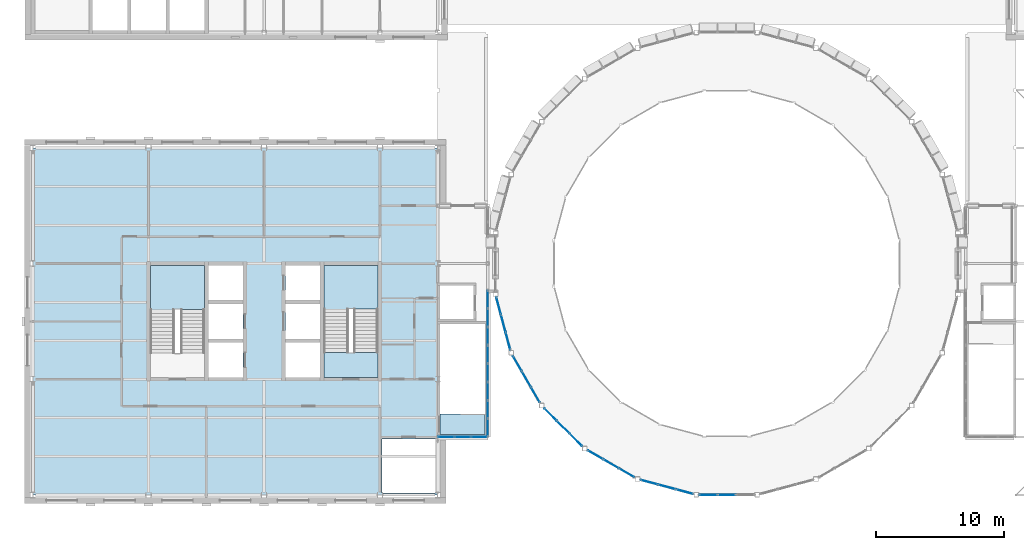
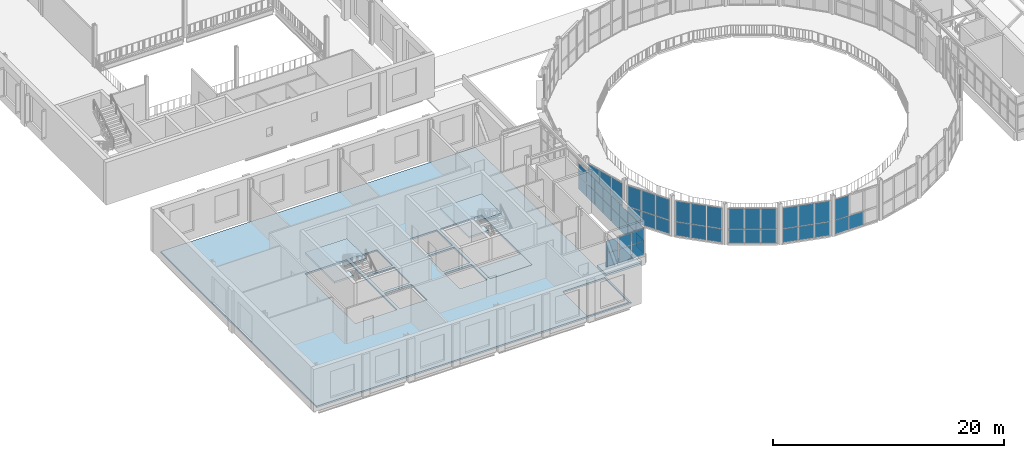
# One storey, part 30 of 74: 55 plates, 5 slabs, 10 elements without a shape of their own.
"""IFC4 building model written with IfcOpenShell, lengths in metres."""

from ifc_helpers import new_model, si_unit, direction, frame, origin, origin_2d, place, context, subcontext, project, spatial, polyline, rectangle, outline, extrude, material, layer, layer_set, type_object, element, aggregate, save


model = new_model("IFC4")

# Units and contexts
model_context = context("Model", 3, precision=1e-05, world=origin(), true_north=direction((0.0, 1.0)))
body_context = subcontext(model_context, "Body", "Model", "MODEL_VIEW")
ifc_project = project(units=[si_unit("LENGTHUNIT", "METRE"), si_unit("AREAUNIT", "SQUARE_METRE"), si_unit("VOLUMEUNIT", "CUBIC_METRE"), si_unit("PLANEANGLEUNIT", "RADIAN"), si_unit("MASSUNIT", "GRAM", prefix="KILO")], contexts=[model_context])

# Site, building, storey
site_placement = place(None, origin())
site = spatial("IfcSite", under=ifc_project, at=site_placement, CompositionType="ELEMENT")
building_placement = place(site_placement, origin())
building = spatial("IfcBuilding", under=site, at=building_placement, Name="Hortulan Conservatory and Botanical Research Centre", CompositionType="ELEMENT")
storey_placement = place(building_placement, frame((0.0, 0.0, 6.0)))
storey = spatial("IfcBuildingStorey", under=building, at=storey_placement, Name="L01", CompositionType="ELEMENT", Elevation=6.0)

# Slab
ifc_material_1 = material(Name="Concrete N40 (40 MPa, AS 3600)", Category="concrete")
ifc_layer_1 = layer(ifc_material_1, 0.169921875)
ifc_layer_set_1 = layer_set([ifc_layer_1], Name="Composite Floor Slab 170")
slab_type_1 = type_object("IfcSlabType", Name="Composite Floor Slab 170", PredefinedType="FLOOR", material=ifc_layer_set_1)
slab_1_placement = place(storey_placement, frame((0.0, 0.0, -0.169921875)))
element("IfcSlab", 1, at=slab_1_placement, inside=storey, type_object=slab_type_1, Name="Floor slab", PredefinedType="FLOOR", context=body_context, shape_type="SweptSolid", body=[
    extrude(outline(polyline([(0.0, 0.0), (31.5, 0.0), (31.5, 27.0), (0.0, 27.0), (0.0, 0.0)]), holes=[polyline([(27.14990234375, 4.35009765625), (27.14990234375, 0.14990234375), (31.35009765625, 0.14990234375), (31.35009765625, 4.35009765625), (27.14990234375, 4.35009765625)]), polyline([(13.64990234375, 11.85009765625), (13.64990234375, 9.14990234375), (16.35009765625, 9.14990234375), (16.35009765625, 11.85009765625), (13.64990234375, 11.85009765625)]), polyline([(19.64990234375, 11.85009765625), (19.64990234375, 9.14990234375), (22.35009765625, 9.14990234375), (22.35009765625, 11.85009765625), (19.64990234375, 11.85009765625)]), polyline([(9.14990234375, 17.85009765625), (9.14990234375, 9.14990234375), (13.35009765625, 9.14990234375), (13.35009765625, 17.85009765625), (9.14990234375, 17.85009765625)]), polyline([(13.64990234375, 14.85009765625), (13.64990234375, 12.14990234375), (16.35009765625, 12.14990234375), (16.35009765625, 14.85009765625), (13.64990234375, 14.85009765625)]), polyline([(19.64990234375, 14.85009765625), (19.64990234375, 12.14990234375), (22.35009765625, 12.14990234375), (22.35009765625, 14.85009765625), (19.64990234375, 14.85009765625)]), polyline([(22.64990234375, 17.85009765625), (22.64990234375, 9.14990234375), (26.85009765625, 9.14990234375), (26.85009765625, 17.85009765625), (22.64990234375, 17.85009765625)]), polyline([(16.35009765625, 17.85009765625), (13.64990234375, 17.85009765625), (13.64990234375, 15.14990234375), (16.35009765625, 15.14990234375), (16.35009765625, 17.85009765625)]), polyline([(22.35009765625, 17.85009765625), (19.64990234375, 17.85009765625), (19.64990234375, 15.14990234375), (22.35009765625, 15.14990234375), (22.35009765625, 17.85009765625)])]), origin(), (0.0, 0.0, 1.0), 0.169921875),
])

# Curtain wall, plates
ifc_material_2 = material(Name="Bronze-finished aluminium", Category="aluminium")
ifc_layer_2 = layer(ifc_material_2, 0.10009765625)
ifc_layer_set_2 = layer_set([ifc_layer_2], Name="Bronze-framed Curtain Wall 1500 module")
curtain_wall_type = type_object("IfcCurtainWallType", Name="Bronze-framed Curtain Wall 1500 module", PredefinedType="NOTDEFINED", material=ifc_layer_set_2)
curtain_wall_1_placement = place(storey_placement, origin())
curtain_wall_1 = element("IfcCurtainWall", 2, at=curtain_wall_1_placement, inside=storey, type_object=curtain_wall_type, Name="Curtain wall", PredefinedType="NOTDEFINED")
ifc_material_3 = material(Name="Low-e laminated glass", Category="glass")
ifc_layer_3 = layer(ifc_material_3, 0.028076171875)
ifc_layer_set_3 = layer_set([ifc_layer_3], Name="Laminated Glass Panel 28")
plate_type = type_object("IfcPlateType", Name="Laminated Glass Panel 28", PredefinedType="CURTAIN_PANEL", material=ifc_layer_set_3)
plate_1_placement = place(storey_placement, frame((36.9814453125, 11.967529296875, 0.06005859375), z_axis=(0.0, 0.0, 1.0), x_axis=(-0.258831936284, 0.965922372015, 0.0)))
plate_1 = element("IfcPlate", 3, at=plate_1_placement, type_object=plate_type, Name="CW1 panel 1.1", PredefinedType="CURTAIN_PANEL", context=body_context, shape_type="SweptSolid", body=[
    extrude(rectangle(XDim=1.346923828125, YDim=0.028076171875, at=origin_2d()), origin(), (0.0, 0.0, 1.0), 1.409912109375),
])
plate_2_placement = place(storey_placement, frame((36.9814453125, 11.967529296875, 1.5302734375), z_axis=(0.0, 0.0, 1.0), x_axis=(-0.258831936284, 0.965922372015, 0.0)))
plate_2 = element("IfcPlate", 4, at=plate_2_placement, type_object=plate_type, Name="CW1 panel 1.2", PredefinedType="CURTAIN_PANEL", context=body_context, shape_type="SweptSolid", body=[
    extrude(rectangle(XDim=1.346923828125, YDim=0.028076171875, at=origin_2d()), origin(), (0.0, 0.0, 1.0), 2.159912109375),
])
plate_3_placement = place(storey_placement, frame((36.61328125, 13.341064453125, 0.06005859375), z_axis=(0.0, 0.0, 1.0), x_axis=(-0.258831936284, 0.965922372015, 0.0)))
plate_3 = element("IfcPlate", 5, at=plate_3_placement, type_object=plate_type, Name="CW1 panel 2.1", PredefinedType="CURTAIN_PANEL", context=body_context, shape_type="SweptSolid", body=[
    extrude(rectangle(XDim=1.376953125, YDim=0.028076171875, at=origin_2d()), origin(), (0.0, 0.0, 1.0), 1.409912109375),
])
plate_4_placement = place(storey_placement, frame((36.61328125, 13.341064453125, 1.5302734375), z_axis=(0.0, 0.0, 1.0), x_axis=(-0.258831936284, 0.965922372015, 0.0)))
plate_4 = element("IfcPlate", 6, at=plate_4_placement, type_object=plate_type, Name="CW1 panel 2.2", PredefinedType="CURTAIN_PANEL", context=body_context, shape_type="SweptSolid", body=[
    extrude(rectangle(XDim=1.376953125, YDim=0.028076171875, at=origin_2d()), origin(), (0.0, 0.0, 1.0), 2.159912109375),
])
plate_5_placement = place(storey_placement, frame((36.245361328125, 14.714599609375, 0.06005859375), z_axis=(0.0, 0.0, 1.0), x_axis=(-0.258831936284, 0.965922372015, 0.0)))
plate_5 = element("IfcPlate", 7, at=plate_5_placement, type_object=plate_type, Name="CW1 panel 3.1", PredefinedType="CURTAIN_PANEL", context=body_context, shape_type="SweptSolid", body=[
    extrude(rectangle(XDim=1.346923828125, YDim=0.028076171875, at=origin_2d()), origin(), (0.0, 0.0, 1.0), 1.409912109375),
])
plate_6_placement = place(storey_placement, frame((36.245361328125, 14.714599609375, 1.5302734375), z_axis=(0.0, 0.0, 1.0), x_axis=(-0.258831936284, 0.965922372015, 0.0)))
plate_6 = element("IfcPlate", 8, at=plate_6_placement, type_object=plate_type, Name="CW1 panel 3.2", PredefinedType="CURTAIN_PANEL", context=body_context, shape_type="SweptSolid", body=[
    extrude(rectangle(XDim=1.346923828125, YDim=0.028076171875, at=origin_2d()), origin(), (0.0, 0.0, 1.0), 2.159912109375),
])
aggregate(curtain_wall_1, [plate_1, plate_2, plate_3, plate_4, plate_5, plate_6])

curtain_wall_2_placement = place(storey_placement, origin())
curtain_wall_2 = element("IfcCurtainWall", 9, at=curtain_wall_2_placement, inside=storey, type_object=curtain_wall_type, Name="Curtain wall", PredefinedType="NOTDEFINED")
plate_7_placement = place(storey_placement, frame((39.114013671875, 7.782958984375, 0.06005859375), z_axis=(0.0, 0.0, 1.0), x_axis=(-0.499981160235, 0.866036280655, 0.0)))
plate_7 = element("IfcPlate", 10, at=plate_7_placement, type_object=plate_type, Name="CW1 panel 1.1", PredefinedType="CURTAIN_PANEL", context=body_context, shape_type="SweptSolid", body=[
    extrude(rectangle(XDim=1.330078125, YDim=0.028076171875, at=origin_2d()), origin(), (0.0, 0.0, 1.0), 1.409912109375),
])
plate_8_placement = place(storey_placement, frame((39.114013671875, 7.782958984375, 1.5302734375), z_axis=(0.0, 0.0, 1.0), x_axis=(-0.499981160235, 0.866036280655, 0.0)))
plate_8 = element("IfcPlate", 11, at=plate_8_placement, type_object=plate_type, Name="CW1 panel 1.2", PredefinedType="CURTAIN_PANEL", context=body_context, shape_type="SweptSolid", body=[
    extrude(rectangle(XDim=1.330078125, YDim=0.028076171875, at=origin_2d()), origin(), (0.0, 0.0, 1.0), 2.159912109375),
])
plate_9_placement = place(storey_placement, frame((38.41162109375, 9.0, 0.06005859375), z_axis=(0.0, 0.0, 1.0), x_axis=(-0.499981160235, 0.866036280655, 0.0)))
plate_9 = element("IfcPlate", 12, at=plate_9_placement, type_object=plate_type, Name="CW1 panel 2.1", PredefinedType="CURTAIN_PANEL", context=body_context, shape_type="SweptSolid", body=[
    extrude(rectangle(XDim=1.360107421875, YDim=0.028076171875, at=origin_2d()), origin(), (0.0, 0.0, 1.0), 1.409912109375),
])
plate_10_placement = place(storey_placement, frame((38.41162109375, 9.0, 1.5302734375), z_axis=(0.0, 0.0, 1.0), x_axis=(-0.499981160235, 0.866036280655, 0.0)))
plate_10 = element("IfcPlate", 13, at=plate_10_placement, type_object=plate_type, Name="CW1 panel 2.2", PredefinedType="CURTAIN_PANEL", context=body_context, shape_type="SweptSolid", body=[
    extrude(rectangle(XDim=1.360107421875, YDim=0.028076171875, at=origin_2d()), origin(), (0.0, 0.0, 1.0), 2.159912109375),
])
plate_11_placement = place(storey_placement, frame((37.708984375, 10.217041015625, 0.06005859375), z_axis=(0.0, 0.0, 1.0), x_axis=(-0.499981160235, 0.866036280655, 0.0)))
plate_11 = element("IfcPlate", 14, at=plate_11_placement, type_object=plate_type, Name="CW1 panel 3.1", PredefinedType="CURTAIN_PANEL", context=body_context, shape_type="SweptSolid", body=[
    extrude(rectangle(XDim=1.330078125, YDim=0.028076171875, at=origin_2d()), origin(), (0.0, 0.0, 1.0), 1.409912109375),
])
plate_12_placement = place(storey_placement, frame((37.708984375, 10.217041015625, 1.5302734375), z_axis=(0.0, 0.0, 1.0), x_axis=(-0.499981160235, 0.866036280655, 0.0)))
plate_12 = element("IfcPlate", 15, at=plate_12_placement, type_object=plate_type, Name="CW1 panel 3.2", PredefinedType="CURTAIN_PANEL", context=body_context, shape_type="SweptSolid", body=[
    extrude(rectangle(XDim=1.330078125, YDim=0.028076171875, at=origin_2d()), origin(), (0.0, 0.0, 1.0), 2.159912109375),
])
aggregate(curtain_wall_2, [plate_7, plate_8, plate_9, plate_10, plate_11, plate_12])

curtain_wall_3_placement = place(storey_placement, origin())
curtain_wall_3 = element("IfcCurtainWall", 16, at=curtain_wall_3_placement, inside=storey, type_object=curtain_wall_type, Name="Curtain wall", PredefinedType="NOTDEFINED")
plate_13_placement = place(storey_placement, frame((42.261962890625, 4.281982421875, 0.06005859375), z_axis=(0.0, 0.0, 1.0), x_axis=(-0.70708322627, 0.707130335318, 0.0)))
plate_13 = element("IfcPlate", 17, at=plate_13_placement, type_object=plate_type, Name="CW1 panel 1.1", PredefinedType="CURTAIN_PANEL", context=body_context, shape_type="SweptSolid", body=[
    extrude(rectangle(XDim=1.3251953125, YDim=0.028076171875, at=origin_2d()), origin(), (0.0, 0.0, 1.0), 1.409912109375),
])
plate_14_placement = place(storey_placement, frame((42.261962890625, 4.281982421875, 1.5302734375), z_axis=(0.0, 0.0, 1.0), x_axis=(-0.70708322627, 0.707130335318, 0.0)))
plate_14 = element("IfcPlate", 18, at=plate_14_placement, type_object=plate_type, Name="CW1 panel 1.2", PredefinedType="CURTAIN_PANEL", context=body_context, shape_type="SweptSolid", body=[
    extrude(rectangle(XDim=1.3251953125, YDim=0.028076171875, at=origin_2d()), origin(), (0.0, 0.0, 1.0), 2.159912109375),
])
plate_15_placement = place(storey_placement, frame((41.27197265625, 5.27197265625, 0.06005859375), z_axis=(0.0, 0.0, 1.0), x_axis=(-0.70708322627, 0.707130335318, 0.0)))
plate_15 = element("IfcPlate", 19, at=plate_15_placement, type_object=plate_type, Name="CW1 panel 2.1", PredefinedType="CURTAIN_PANEL", context=body_context, shape_type="SweptSolid", body=[
    extrude(rectangle(XDim=1.355224609375, YDim=0.028076171875, at=origin_2d()), origin(), (0.0, 0.0, 1.0), 1.409912109375),
])
plate_16_placement = place(storey_placement, frame((41.27197265625, 5.27197265625, 1.5302734375), z_axis=(0.0, 0.0, 1.0), x_axis=(-0.70708322627, 0.707130335318, 0.0)))
plate_16 = element("IfcPlate", 20, at=plate_16_placement, type_object=plate_type, Name="CW1 panel 2.2", PredefinedType="CURTAIN_PANEL", context=body_context, shape_type="SweptSolid", body=[
    extrude(rectangle(XDim=1.355224609375, YDim=0.028076171875, at=origin_2d()), origin(), (0.0, 0.0, 1.0), 2.159912109375),
])
plate_17_placement = place(storey_placement, frame((40.281982421875, 6.26220703125, 0.06005859375), z_axis=(0.0, 0.0, 1.0), x_axis=(-0.70708322627, 0.707130335318, 0.0)))
plate_17 = element("IfcPlate", 21, at=plate_17_placement, type_object=plate_type, Name="CW1 panel 3.1", PredefinedType="CURTAIN_PANEL", context=body_context, shape_type="SweptSolid", body=[
    extrude(rectangle(XDim=1.3251953125, YDim=0.028076171875, at=origin_2d()), origin(), (0.0, 0.0, 1.0), 1.409912109375),
])
plate_18_placement = place(storey_placement, frame((40.281982421875, 6.26220703125, 1.5302734375), z_axis=(0.0, 0.0, 1.0), x_axis=(-0.70708322627, 0.707130335318, 0.0)))
plate_18 = element("IfcPlate", 22, at=plate_18_placement, type_object=plate_type, Name="CW1 panel 3.2", PredefinedType="CURTAIN_PANEL", context=body_context, shape_type="SweptSolid", body=[
    extrude(rectangle(XDim=1.3251953125, YDim=0.028076171875, at=origin_2d()), origin(), (0.0, 0.0, 1.0), 2.159912109375),
])
aggregate(curtain_wall_3, [plate_13, plate_14, plate_15, plate_16, plate_17, plate_18])

curtain_wall_4_placement = place(storey_placement, origin())
curtain_wall_4 = element("IfcCurtainWall", 23, at=curtain_wall_4_placement, inside=storey, type_object=curtain_wall_type, Name="Curtain wall", PredefinedType="NOTDEFINED")
plate_19_placement = place(storey_placement, frame((46.217041015625, 1.708984375, 0.06005859375), z_axis=(0.0, 0.0, 1.0), x_axis=(-0.866036280655, 0.499981160235, 0.0)))
plate_19 = element("IfcPlate", 24, at=plate_19_placement, type_object=plate_type, Name="CW1 panel 1.1", PredefinedType="CURTAIN_PANEL", context=body_context, shape_type="SweptSolid", body=[
    extrude(rectangle(XDim=1.330078125, YDim=0.028076171875, at=origin_2d()), origin(), (0.0, 0.0, 1.0), 1.409912109375),
])
plate_20_placement = place(storey_placement, frame((46.217041015625, 1.708984375, 1.5302734375), z_axis=(0.0, 0.0, 1.0), x_axis=(-0.866036280655, 0.499981160235, 0.0)))
plate_20 = element("IfcPlate", 25, at=plate_20_placement, type_object=plate_type, Name="CW1 panel 1.2", PredefinedType="CURTAIN_PANEL", context=body_context, shape_type="SweptSolid", body=[
    extrude(rectangle(XDim=1.330078125, YDim=0.028076171875, at=origin_2d()), origin(), (0.0, 0.0, 1.0), 2.159912109375),
])
plate_21_placement = place(storey_placement, frame((45.0, 2.41162109375, 0.06005859375), z_axis=(0.0, 0.0, 1.0), x_axis=(-0.866036280655, 0.499981160235, 0.0)))
plate_21 = element("IfcPlate", 26, at=plate_21_placement, type_object=plate_type, Name="CW1 panel 2.1", PredefinedType="CURTAIN_PANEL", context=body_context, shape_type="SweptSolid", body=[
    extrude(rectangle(XDim=1.360107421875, YDim=0.028076171875, at=origin_2d()), origin(), (0.0, 0.0, 1.0), 1.409912109375),
])
plate_22_placement = place(storey_placement, frame((45.0, 2.41162109375, 1.5302734375), z_axis=(0.0, 0.0, 1.0), x_axis=(-0.866036280655, 0.499981160235, 0.0)))
plate_22 = element("IfcPlate", 27, at=plate_22_placement, type_object=plate_type, Name="CW1 panel 2.2", PredefinedType="CURTAIN_PANEL", context=body_context, shape_type="SweptSolid", body=[
    extrude(rectangle(XDim=1.360107421875, YDim=0.028076171875, at=origin_2d()), origin(), (0.0, 0.0, 1.0), 2.159912109375),
])
plate_23_placement = place(storey_placement, frame((43.782958984375, 3.114013671875, 0.06005859375), z_axis=(0.0, 0.0, 1.0), x_axis=(-0.866036280655, 0.499981160235, 0.0)))
plate_23 = element("IfcPlate", 28, at=plate_23_placement, type_object=plate_type, Name="CW1 panel 3.1", PredefinedType="CURTAIN_PANEL", context=body_context, shape_type="SweptSolid", body=[
    extrude(rectangle(XDim=1.330078125, YDim=0.028076171875, at=origin_2d()), origin(), (0.0, 0.0, 1.0), 1.409912109375),
])
plate_24_placement = place(storey_placement, frame((43.782958984375, 3.114013671875, 1.5302734375), z_axis=(0.0, 0.0, 1.0), x_axis=(-0.866036280655, 0.499981160235, 0.0)))
plate_24 = element("IfcPlate", 29, at=plate_24_placement, type_object=plate_type, Name="CW1 panel 3.2", PredefinedType="CURTAIN_PANEL", context=body_context, shape_type="SweptSolid", body=[
    extrude(rectangle(XDim=1.330078125, YDim=0.028076171875, at=origin_2d()), origin(), (0.0, 0.0, 1.0), 2.159912109375),
])
aggregate(curtain_wall_4, [plate_19, plate_20, plate_21, plate_22, plate_23, plate_24])

curtain_wall_5_placement = place(storey_placement, origin())
curtain_wall_5 = element("IfcCurtainWall", 30, at=curtain_wall_5_placement, inside=storey, type_object=curtain_wall_type, Name="Curtain wall", PredefinedType="NOTDEFINED")
plate_25_placement = place(storey_placement, frame((50.714599609375, 0.245361328125, 0.06005859375), z_axis=(0.0, 0.0, 1.0), x_axis=(-0.965922372015, 0.258831936284, 0.0)))
plate_25 = element("IfcPlate", 31, at=plate_25_placement, type_object=plate_type, Name="CW1 panel 1.1", PredefinedType="CURTAIN_PANEL", context=body_context, shape_type="SweptSolid", body=[
    extrude(rectangle(XDim=1.346923828125, YDim=0.028076171875, at=origin_2d()), origin(), (0.0, 0.0, 1.0), 1.409912109375),
])
plate_26_placement = place(storey_placement, frame((50.714599609375, 0.245361328125, 1.5302734375), z_axis=(0.0, 0.0, 1.0), x_axis=(-0.965922372015, 0.258831936284, 0.0)))
plate_26 = element("IfcPlate", 32, at=plate_26_placement, type_object=plate_type, Name="CW1 panel 1.2", PredefinedType="CURTAIN_PANEL", context=body_context, shape_type="SweptSolid", body=[
    extrude(rectangle(XDim=1.346923828125, YDim=0.028076171875, at=origin_2d()), origin(), (0.0, 0.0, 1.0), 2.159912109375),
])
plate_27_placement = place(storey_placement, frame((49.341064453125, 0.61328125, 0.06005859375), z_axis=(0.0, 0.0, 1.0), x_axis=(-0.965922372015, 0.258831936284, 0.0)))
plate_27 = element("IfcPlate", 33, at=plate_27_placement, type_object=plate_type, Name="CW1 panel 2.1", PredefinedType="CURTAIN_PANEL", context=body_context, shape_type="SweptSolid", body=[
    extrude(rectangle(XDim=1.376953125, YDim=0.028076171875, at=origin_2d()), origin(), (0.0, 0.0, 1.0), 1.409912109375),
])
plate_28_placement = place(storey_placement, frame((49.341064453125, 0.61328125, 1.5302734375), z_axis=(0.0, 0.0, 1.0), x_axis=(-0.965922372015, 0.258831936284, 0.0)))
plate_28 = element("IfcPlate", 34, at=plate_28_placement, type_object=plate_type, Name="CW1 panel 2.2", PredefinedType="CURTAIN_PANEL", context=body_context, shape_type="SweptSolid", body=[
    extrude(rectangle(XDim=1.376953125, YDim=0.028076171875, at=origin_2d()), origin(), (0.0, 0.0, 1.0), 2.159912109375),
])
plate_29_placement = place(storey_placement, frame((47.967529296875, 0.9814453125, 0.06005859375), z_axis=(0.0, 0.0, 1.0), x_axis=(-0.965922372015, 0.258831936284, 0.0)))
plate_29 = element("IfcPlate", 35, at=plate_29_placement, type_object=plate_type, Name="CW1 panel 3.1", PredefinedType="CURTAIN_PANEL", context=body_context, shape_type="SweptSolid", body=[
    extrude(rectangle(XDim=1.346923828125, YDim=0.028076171875, at=origin_2d()), origin(), (0.0, 0.0, 1.0), 1.409912109375),
])
plate_30_placement = place(storey_placement, frame((47.967529296875, 0.9814453125, 1.5302734375), z_axis=(0.0, 0.0, 1.0), x_axis=(-0.965922372015, 0.258831936284, 0.0)))
plate_30 = element("IfcPlate", 36, at=plate_30_placement, type_object=plate_type, Name="CW1 panel 3.2", PredefinedType="CURTAIN_PANEL", context=body_context, shape_type="SweptSolid", body=[
    extrude(rectangle(XDim=1.346923828125, YDim=0.028076171875, at=origin_2d()), origin(), (0.0, 0.0, 1.0), 2.159912109375),
])
aggregate(curtain_wall_5, [plate_25, plate_26, plate_27, plate_28, plate_29, plate_30])

curtain_wall_6_placement = place(storey_placement, origin())
curtain_wall_6 = element("IfcCurtainWall", 37, at=curtain_wall_6_placement, inside=storey, type_object=curtain_wall_type, Name="Curtain wall", PredefinedType="NOTDEFINED")
plate_31_placement = place(storey_placement, frame((54.0, 0.0, 0.06005859375), z_axis=(0.0, 0.0, 1.0), x_axis=(-1.0, 0.0, 0.0)))
plate_31 = element("IfcPlate", 38, at=plate_31_placement, type_object=plate_type, Name="CW1 panel 2.1", PredefinedType="CURTAIN_PANEL", context=body_context, shape_type="SweptSolid", body=[
    extrude(rectangle(XDim=1.4033203125, YDim=0.028076171875, at=origin_2d()), origin(), (0.0, 0.0, 1.0), 1.409912109375),
])
plate_32_placement = place(storey_placement, frame((52.5517578125, 0.0, 0.06005859375), z_axis=(0.0, 0.0, 1.0), x_axis=(-1.0, 0.0, 0.0)))
plate_32 = element("IfcPlate", 39, at=plate_32_placement, type_object=plate_type, Name="CW1 panel 3.1", PredefinedType="CURTAIN_PANEL", context=body_context, shape_type="SweptSolid", body=[
    extrude(rectangle(XDim=1.373291015625, YDim=0.028076171875, at=origin_2d()), origin(), (0.0, 0.0, 1.0), 1.409912109375),
])
plate_33_placement = place(storey_placement, frame((52.5517578125, 0.0, 1.5302734375), z_axis=(0.0, 0.0, 1.0), x_axis=(-1.0, 0.0, 0.0)))
plate_33 = element("IfcPlate", 40, at=plate_33_placement, type_object=plate_type, Name="CW1 panel 3.2", PredefinedType="CURTAIN_PANEL", context=body_context, shape_type="SweptSolid", body=[
    extrude(rectangle(XDim=1.373291015625, YDim=0.028076171875, at=origin_2d()), origin(), (0.0, 0.0, 1.0), 2.159912109375),
])
aggregate(curtain_wall_6, [plate_31, plate_32, plate_33])

curtain_wall_7_placement = place(storey_placement, origin())
curtain_wall_7 = element("IfcCurtainWall", 41, at=curtain_wall_7_placement, inside=storey, type_object=curtain_wall_type, Name="Curtain wall", PredefinedType="NOTDEFINED")
plate_34_placement = place(storey_placement, frame((34.735107421875, 4.5, 0.9599609375), z_axis=(0.0, 0.0, 1.0), x_axis=(-1.0, 0.0, 0.0)))
plate_34 = element("IfcPlate", 42, at=plate_34_placement, type_object=plate_type, Name="CW1 panel 1.1", PredefinedType="CURTAIN_PANEL", context=body_context, shape_type="SweptSolid", body=[
    extrude(rectangle(XDim=1.2099609375, YDim=0.028076171875, at=origin_2d()), origin(), (0.0, 0.0, 1.0), 1.409912109375),
])
plate_35_placement = place(storey_placement, frame((34.735107421875, 4.5, 2.429931640625), z_axis=(0.0, 0.0, 1.0), x_axis=(-1.0, 0.0, 0.0)))
plate_35 = element("IfcPlate", 43, at=plate_35_placement, type_object=plate_type, Name="CW1 panel 1.2", PredefinedType="CURTAIN_PANEL", context=body_context, shape_type="SweptSolid", body=[
    extrude(rectangle(XDim=1.2099609375, YDim=0.028076171875, at=origin_2d()), origin(), (0.0, 0.0, 1.0), 1.25),
])
plate_36_placement = place(storey_placement, frame((33.449951171875, 4.5, 0.9599609375), z_axis=(0.0, 0.0, 1.0), x_axis=(-1.0, 0.0, 0.0)))
plate_36 = element("IfcPlate", 44, at=plate_36_placement, type_object=plate_type, Name="CW1 panel 2.1", PredefinedType="CURTAIN_PANEL", context=body_context, shape_type="SweptSolid", body=[
    extrude(rectangle(XDim=1.239990234375, YDim=0.028076171875, at=origin_2d()), origin(), (0.0, 0.0, 1.0), 1.409912109375),
])
plate_37_placement = place(storey_placement, frame((33.449951171875, 4.5, 2.429931640625), z_axis=(0.0, 0.0, 1.0), x_axis=(-1.0, 0.0, 0.0)))
plate_37 = element("IfcPlate", 45, at=plate_37_placement, type_object=plate_type, Name="CW1 panel 2.2", PredefinedType="CURTAIN_PANEL", context=body_context, shape_type="SweptSolid", body=[
    extrude(rectangle(XDim=1.239990234375, YDim=0.028076171875, at=origin_2d()), origin(), (0.0, 0.0, 1.0), 1.25),
])
plate_38_placement = place(storey_placement, frame((32.1650390625, 4.5, 0.9599609375), z_axis=(0.0, 0.0, 1.0), x_axis=(-1.0, 0.0, 0.0)))
plate_38 = element("IfcPlate", 46, at=plate_38_placement, type_object=plate_type, Name="CW1 panel 3.1", PredefinedType="CURTAIN_PANEL", context=body_context, shape_type="SweptSolid", body=[
    extrude(rectangle(XDim=1.2099609375, YDim=0.028076171875, at=origin_2d()), origin(), (0.0, 0.0, 1.0), 1.409912109375),
])
plate_39_placement = place(storey_placement, frame((32.1650390625, 4.5, 2.429931640625), z_axis=(0.0, 0.0, 1.0), x_axis=(-1.0, 0.0, 0.0)))
plate_39 = element("IfcPlate", 47, at=plate_39_placement, type_object=plate_type, Name="CW1 panel 3.2", PredefinedType="CURTAIN_PANEL", context=body_context, shape_type="SweptSolid", body=[
    extrude(rectangle(XDim=1.2099609375, YDim=0.028076171875, at=origin_2d()), origin(), (0.0, 0.0, 1.0), 1.25),
])
aggregate(curtain_wall_7, [plate_34, plate_35, plate_36, plate_37, plate_38, plate_39])

curtain_wall_8_placement = place(storey_placement, origin())
curtain_wall_8 = element("IfcCurtainWall", 48, at=curtain_wall_8_placement, inside=storey, type_object=curtain_wall_type, Name="Curtain wall", PredefinedType="NOTDEFINED")
plate_40_placement = place(storey_placement, frame((35.39990234375, 15.200927734375, 0.9599609375), z_axis=(0.0, 0.0, 1.0), x_axis=(0.0, -1.0, 0.0)))
plate_40 = element("IfcPlate", 49, at=plate_40_placement, type_object=plate_type, Name="CW1 panel 1.1", PredefinedType="CURTAIN_PANEL", context=body_context, shape_type="SweptSolid", body=[
    extrude(rectangle(XDim=1.3388671875, YDim=0.028076171875, at=origin_2d()), origin(), (0.0, 0.0, 1.0), 1.409912109375),
])
plate_41_placement = place(storey_placement, frame((35.39990234375, 15.200927734375, 2.429931640625), z_axis=(0.0, 0.0, 1.0), x_axis=(0.0, -1.0, 0.0)))
plate_41 = element("IfcPlate", 50, at=plate_41_placement, type_object=plate_type, Name="CW1 panel 1.2", PredefinedType="CURTAIN_PANEL", context=body_context, shape_type="SweptSolid", body=[
    extrude(rectangle(XDim=1.3388671875, YDim=0.028076171875, at=origin_2d()), origin(), (0.0, 0.0, 1.0), 1.25),
])
plate_42_placement = place(storey_placement, frame((35.39990234375, 13.787109375, 0.9599609375), z_axis=(0.0, 0.0, 1.0), x_axis=(0.0, -1.0, 0.0)))
plate_42 = element("IfcPlate", 51, at=plate_42_placement, type_object=plate_type, Name="CW1 panel 2.1", PredefinedType="CURTAIN_PANEL", context=body_context, shape_type="SweptSolid", body=[
    extrude(rectangle(XDim=1.368896484375, YDim=0.028076171875, at=origin_2d()), origin(), (0.0, 0.0, 1.0), 1.409912109375),
])
plate_43_placement = place(storey_placement, frame((35.39990234375, 13.787109375, 2.429931640625), z_axis=(0.0, 0.0, 1.0), x_axis=(0.0, -1.0, 0.0)))
plate_43 = element("IfcPlate", 52, at=plate_43_placement, type_object=plate_type, Name="CW1 panel 2.2", PredefinedType="CURTAIN_PANEL", context=body_context, shape_type="SweptSolid", body=[
    extrude(rectangle(XDim=1.368896484375, YDim=0.028076171875, at=origin_2d()), origin(), (0.0, 0.0, 1.0), 1.25),
])
plate_44_placement = place(storey_placement, frame((35.39990234375, 12.3583984375, 0.9599609375), z_axis=(0.0, 0.0, 1.0), x_axis=(0.0, -1.0, 0.0)))
plate_44 = element("IfcPlate", 53, at=plate_44_placement, type_object=plate_type, Name="CW1 panel 3.1", PredefinedType="CURTAIN_PANEL", context=body_context, shape_type="SweptSolid", body=[
    extrude(rectangle(XDim=1.368896484375, YDim=0.028076171875, at=origin_2d()), origin(), (0.0, 0.0, 1.0), 1.409912109375),
])
plate_45_placement = place(storey_placement, frame((35.39990234375, 12.3583984375, 2.429931640625), z_axis=(0.0, 0.0, 1.0), x_axis=(0.0, -1.0, 0.0)))
plate_45 = element("IfcPlate", 54, at=plate_45_placement, type_object=plate_type, Name="CW1 panel 3.2", PredefinedType="CURTAIN_PANEL", context=body_context, shape_type="SweptSolid", body=[
    extrude(rectangle(XDim=1.368896484375, YDim=0.028076171875, at=origin_2d()), origin(), (0.0, 0.0, 1.0), 1.25),
])
plate_46_placement = place(storey_placement, frame((35.39990234375, 10.929443359375, 0.9599609375), z_axis=(0.0, 0.0, 1.0), x_axis=(0.0, -1.0, 0.0)))
plate_46 = element("IfcPlate", 55, at=plate_46_placement, type_object=plate_type, Name="CW1 panel 4.1", PredefinedType="CURTAIN_PANEL", context=body_context, shape_type="SweptSolid", body=[
    extrude(rectangle(XDim=1.368896484375, YDim=0.028076171875, at=origin_2d()), origin(), (0.0, 0.0, 1.0), 1.409912109375),
])
plate_47_placement = place(storey_placement, frame((35.39990234375, 10.929443359375, 2.429931640625), z_axis=(0.0, 0.0, 1.0), x_axis=(0.0, -1.0, 0.0)))
plate_47 = element("IfcPlate", 56, at=plate_47_placement, type_object=plate_type, Name="CW1 panel 4.2", PredefinedType="CURTAIN_PANEL", context=body_context, shape_type="SweptSolid", body=[
    extrude(rectangle(XDim=1.368896484375, YDim=0.028076171875, at=origin_2d()), origin(), (0.0, 0.0, 1.0), 1.25),
])
plate_48_placement = place(storey_placement, frame((35.39990234375, 9.500732421875, 0.9599609375), z_axis=(0.0, 0.0, 1.0), x_axis=(0.0, -1.0, 0.0)))
plate_48 = element("IfcPlate", 57, at=plate_48_placement, type_object=plate_type, Name="CW1 panel 5.1", PredefinedType="CURTAIN_PANEL", context=body_context, shape_type="SweptSolid", body=[
    extrude(rectangle(XDim=1.368896484375, YDim=0.028076171875, at=origin_2d()), origin(), (0.0, 0.0, 1.0), 1.409912109375),
])
plate_49_placement = place(storey_placement, frame((35.39990234375, 9.500732421875, 2.429931640625), z_axis=(0.0, 0.0, 1.0), x_axis=(0.0, -1.0, 0.0)))
plate_49 = element("IfcPlate", 58, at=plate_49_placement, type_object=plate_type, Name="CW1 panel 5.2", PredefinedType="CURTAIN_PANEL", context=body_context, shape_type="SweptSolid", body=[
    extrude(rectangle(XDim=1.368896484375, YDim=0.028076171875, at=origin_2d()), origin(), (0.0, 0.0, 1.0), 1.25),
])
plate_50_placement = place(storey_placement, frame((35.39990234375, 8.072021484375, 0.9599609375), z_axis=(0.0, 0.0, 1.0), x_axis=(0.0, -1.0, 0.0)))
plate_50 = element("IfcPlate", 59, at=plate_50_placement, type_object=plate_type, Name="CW1 panel 6.1", PredefinedType="CURTAIN_PANEL", context=body_context, shape_type="SweptSolid", body=[
    extrude(rectangle(XDim=1.368896484375, YDim=0.028076171875, at=origin_2d()), origin(), (0.0, 0.0, 1.0), 1.409912109375),
])
plate_51_placement = place(storey_placement, frame((35.39990234375, 8.072021484375, 2.429931640625), z_axis=(0.0, 0.0, 1.0), x_axis=(0.0, -1.0, 0.0)))
plate_51 = element("IfcPlate", 60, at=plate_51_placement, type_object=plate_type, Name="CW1 panel 6.2", PredefinedType="CURTAIN_PANEL", context=body_context, shape_type="SweptSolid", body=[
    extrude(rectangle(XDim=1.368896484375, YDim=0.028076171875, at=origin_2d()), origin(), (0.0, 0.0, 1.0), 1.25),
])
plate_52_placement = place(storey_placement, frame((35.39990234375, 6.64306640625, 0.9599609375), z_axis=(0.0, 0.0, 1.0), x_axis=(0.0, -1.0, 0.0)))
plate_52 = element("IfcPlate", 61, at=plate_52_placement, type_object=plate_type, Name="CW1 panel 7.1", PredefinedType="CURTAIN_PANEL", context=body_context, shape_type="SweptSolid", body=[
    extrude(rectangle(XDim=1.368896484375, YDim=0.028076171875, at=origin_2d()), origin(), (0.0, 0.0, 1.0), 1.409912109375),
])
plate_53_placement = place(storey_placement, frame((35.39990234375, 6.64306640625, 2.429931640625), z_axis=(0.0, 0.0, 1.0), x_axis=(0.0, -1.0, 0.0)))
plate_53 = element("IfcPlate", 62, at=plate_53_placement, type_object=plate_type, Name="CW1 panel 7.2", PredefinedType="CURTAIN_PANEL", context=body_context, shape_type="SweptSolid", body=[
    extrude(rectangle(XDim=1.368896484375, YDim=0.028076171875, at=origin_2d()), origin(), (0.0, 0.0, 1.0), 1.25),
])
plate_54_placement = place(storey_placement, frame((35.39990234375, 5.2294921875, 0.9599609375), z_axis=(0.0, 0.0, 1.0), x_axis=(0.0, -1.0, 0.0)))
plate_54 = element("IfcPlate", 63, at=plate_54_placement, type_object=plate_type, Name="CW1 panel 8.1", PredefinedType="CURTAIN_PANEL", context=body_context, shape_type="SweptSolid", body=[
    extrude(rectangle(XDim=1.3388671875, YDim=0.028076171875, at=origin_2d()), origin(), (0.0, 0.0, 1.0), 1.409912109375),
])
plate_55_placement = place(storey_placement, frame((35.39990234375, 5.2294921875, 2.429931640625), z_axis=(0.0, 0.0, 1.0), x_axis=(0.0, -1.0, 0.0)))
plate_55 = element("IfcPlate", 64, at=plate_55_placement, type_object=plate_type, Name="CW1 panel 8.2", PredefinedType="CURTAIN_PANEL", context=body_context, shape_type="SweptSolid", body=[
    extrude(rectangle(XDim=1.3388671875, YDim=0.028076171875, at=origin_2d()), origin(), (0.0, 0.0, 1.0), 1.25),
])
aggregate(curtain_wall_8, [plate_40, plate_41, plate_42, plate_43, plate_44, plate_45, plate_46, plate_47, plate_48, plate_49, plate_50, plate_51, plate_52, plate_53, plate_54, plate_55])

# Stair, slab
stair_type_1 = type_object("IfcStairType", Name="Concrete Escape Stair 1900", PredefinedType="HALF_TURN_STAIR", material=ifc_material_1)
stair_1_placement = place(storey_placement, origin())
stair_1 = element("IfcStair", 65, at=stair_1_placement, inside=storey, type_object=stair_type_1, Name="Stair T1 L01", PredefinedType="HALF_TURN_STAIR")
ifc_layer_4 = layer(ifc_material_1, 0.199951171875)
ifc_layer_set_4 = layer_set([ifc_layer_4], Name="Stair Landing 200")
slab_type_2 = type_object("IfcSlabType", Name="Stair Landing 200", PredefinedType="LANDING", material=ifc_layer_set_4)
slab_2_placement = place(storey_placement, frame((0.0, 0.0, 2.050048828125)))
slab_2 = element("IfcSlab", 66, at=slab_2_placement, type_object=slab_type_2, Name="Stair T1 L01 half landing 1", PredefinedType="LANDING", context=body_context, shape_type="SweptSolid", body=[
    extrude(outline(polyline([(13.35009765625, 14.409423828125), (11.050048828125, 14.409423828125), (11.050048828125, 12.72998046875), (9.14990234375, 12.72998046875), (9.14990234375, 14.409423828125), (9.14990234375, 14.409912109375), (9.14990234375, 14.419921875), (9.14990234375, 17.85009765625), (13.35009765625, 17.85009765625), (13.35009765625, 14.419921875), (13.35009765625, 14.409912109375), (13.35009765625, 14.409423828125)])), origin(), (0.0, 0.0, 1.0), 0.199951171875),
])
aggregate(stair_1, [slab_2])

stair_type_2 = type_object("IfcStairType", Name="Concrete Escape Stair 1950", PredefinedType="HALF_TURN_STAIR", material=ifc_material_1)
stair_2_placement = place(storey_placement, origin())
stair_2 = element("IfcStair", 67, at=stair_2_placement, inside=storey, type_object=stair_type_2, Name="Stair T2 L01", PredefinedType="HALF_TURN_STAIR")
slab_3_placement = place(storey_placement, frame((0.0, 0.0, 2.050048828125)))
slab_3 = element("IfcSlab", 68, at=slab_3_placement, type_object=slab_type_2, Name="Stair T2 L01 half landing 1", PredefinedType="LANDING", context=body_context, shape_type="SweptSolid", body=[
    extrude(outline(polyline([(26.85009765625, 14.45947265625), (24.60009765625, 14.45947265625), (24.60009765625, 12.780029296875), (22.64990234375, 12.780029296875), (22.64990234375, 14.45947265625), (22.64990234375, 14.4599609375), (22.64990234375, 14.469970703125), (22.64990234375, 17.85009765625), (26.85009765625, 17.85009765625), (26.85009765625, 14.469970703125), (26.85009765625, 14.4599609375), (26.85009765625, 14.45947265625)])), origin(), (0.0, 0.0, 1.0), 0.199951171875),
])
aggregate(stair_2, [slab_3])

# Slabs
slab_4_placement = place(storey_placement, frame((0.0, 0.0, -0.199951171875)))
element("IfcSlab", 69, at=slab_4_placement, inside=storey, type_object=slab_type_2, Name="Stair T2 floor landing L01", PredefinedType="LANDING", context=body_context, shape_type="SweptSolid", body=[
    extrude(outline(polyline([(26.85009765625, 9.14990234375), (22.64990234375, 9.14990234375), (22.64990234375, 11.10009765625), (26.85009765625, 11.10009765625), (26.85009765625, 9.14990234375)])), origin(), (0.0, 0.0, 1.0), 0.199951171875),
])
slab_5_placement = place(storey_placement, frame((0.0, 0.0, -0.199951171875)))
element("IfcSlab", 70, at=slab_5_placement, inside=storey, type_object=slab_type_2, Name="Stair SHW floor landing L01", PredefinedType="LANDING", context=body_context, shape_type="SweptSolid", body=[
    extrude(outline(polyline([(31.699951171875, 4.699951171875), (31.699951171875, 6.300048828125), (35.199951171875, 6.300048828125), (35.199951171875, 4.699951171875), (31.699951171875, 4.699951171875)])), origin(), (0.0, 0.0, 1.0), 0.199951171875),
])

save(model, "model.ifc")
